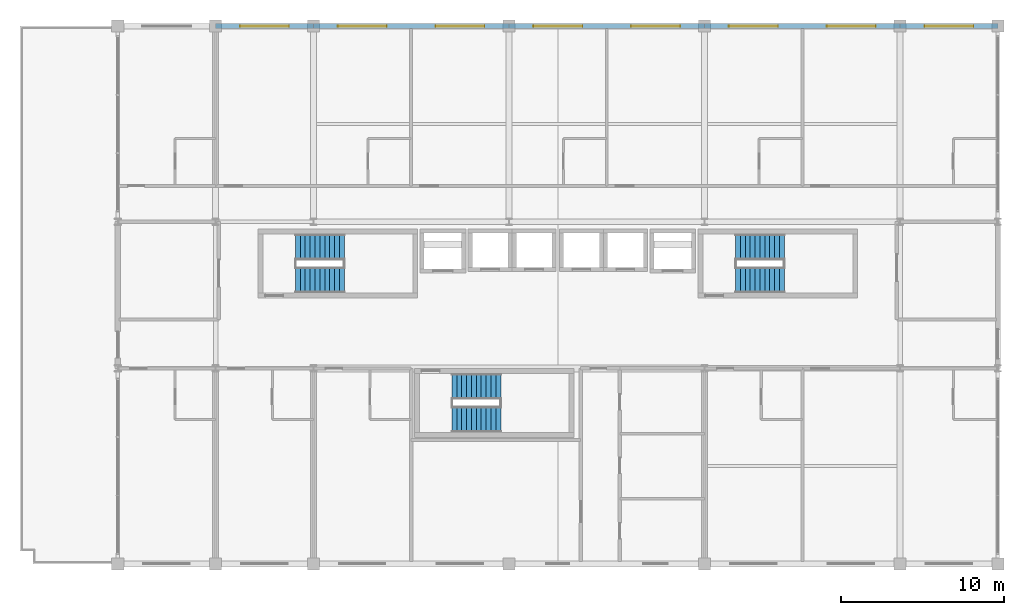
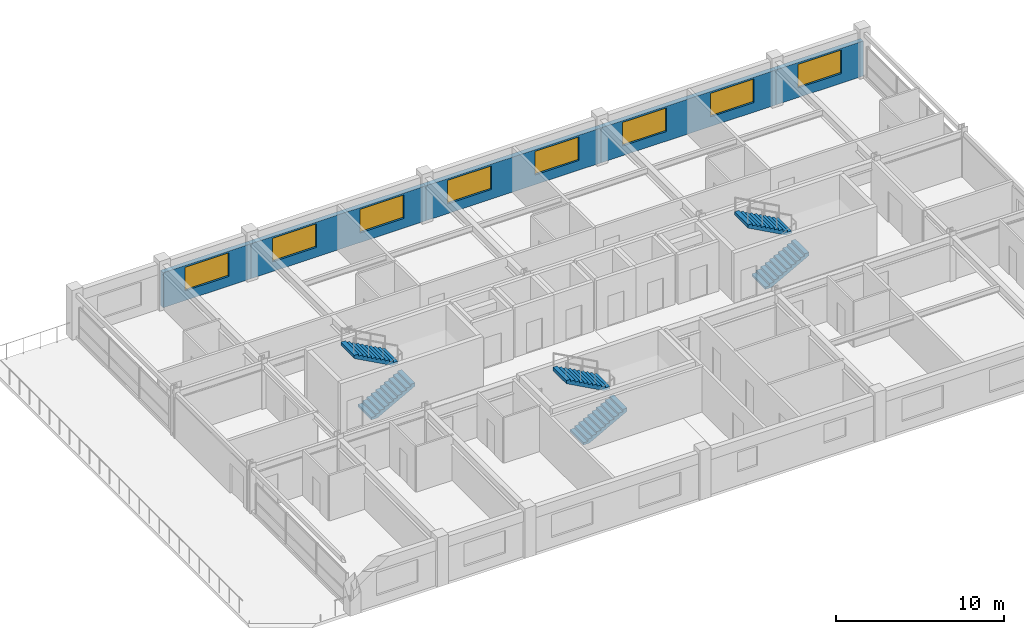
# One storey, part 20 of 21: 8 windows, 6 stair flights, 5 walls, 8 openings, 3 elements without a shape of their own.
"""IFC4 building model written with IfcOpenShell, lengths in metres."""

from ifc_helpers import new_model, si_unit, direction, frame, frame_2d, origin, place, context, subcontext, project, spatial, polyline, rectangle, outline, extrude, material, layer, layer_set, type_object, element, fill, aggregate, save


model = new_model("IFC4")

# Units and contexts
model_context = context("Model", 3, precision=1e-05, world=origin(), true_north=direction((0.0, 1.0)))
body_context = subcontext(model_context, "Body", "Model", "MODEL_VIEW")
ifc_project = project(units=[si_unit("LENGTHUNIT", "METRE"), si_unit("AREAUNIT", "SQUARE_METRE"), si_unit("VOLUMEUNIT", "CUBIC_METRE"), si_unit("PLANEANGLEUNIT", "RADIAN"), si_unit("MASSUNIT", "GRAM", prefix="KILO")], contexts=[model_context])

# Site, building, storey
site_placement = place(None, origin())
site = spatial("IfcSite", under=ifc_project, at=site_placement, CompositionType="ELEMENT")
building_placement = place(site_placement, origin())
building = spatial("IfcBuilding", under=site, at=building_placement, Name="Kaldorvane Square Convention Centre", CompositionType="ELEMENT")
storey_placement = place(building_placement, frame((0.0, 0.0, 49.19999694824219)))
storey = spatial("IfcBuildingStorey", under=building, at=storey_placement, Name="L11", CompositionType="ELEMENT", Elevation=49.19999694824219)

# Wall, opening, window
ifc_material_1 = material(Name="Concrete f'c = 35 MPa (Normalweight)", Category="concrete")
ifc_layer = layer(ifc_material_1, 0.32000732421875)
ifc_layer_set = layer_set([ifc_layer], Name="Concrete f'c = 35 MPa (Normalweight)")
wall_type = type_object("IfcWallType", Name="WL-EXT-320", PredefinedType="STANDARD", material=ifc_layer_set)
wall_1_placement = place(storey_placement, frame((42.0, 117.0, 0.0), z_axis=(0.0, 0.0, 1.0), x_axis=(-1.0, 0.0, 0.0)))
wall_1 = element("IfcWall", 1, at=wall_1_placement, inside=storey, type_object=wall_type, Name="Hotel N Brutalist Facade Wall (L11)", PredefinedType="STANDARD", context=body_context, shape_type="SweptSolid", body=[
    extrude(rectangle(XDim=6.0, YDim=0.32000732421875, at=frame_2d((3.0, 0.0))), origin(), (0.0, 0.0, 1.0), 2.5359954833984375),
])
opening_1_placement = place(wall_1_placement, frame((1.5, 0.0, 0.6999969482421875)))
opening_1 = element("IfcOpeningElement", 2, at=opening_1_placement, cuts=wall_1, Name="Opening W-09", PredefinedType="OPENING", context=body_context, shape_type="SweptSolid", body=[
    extrude(rectangle(XDim=3.0, YDim=1.7100067138671875, at=frame_2d((1.5, 0.855010986328125))), frame((0.0, 0.1750030517578125, 0.0), z_axis=(0.0, -1.0, 0.0), x_axis=(1.0, 0.0, 0.0)), (0.0, 0.0, 1.0), 0.350006103515625),
])
ifc_material_2 = material(Name="Anodized Aluminum and Low-E Insulated Glazing", Category="aluminium")
window_type = type_object("IfcWindowType", Name="WN-HTL-3000X1750", PartitioningType="TRIPLE_PANEL_VERTICAL", PredefinedType="WINDOW", material=ifc_material_2)
window_1_placement = place(opening_1_placement, origin())
window_1 = element("IfcWindow", 3, at=window_1_placement, inside=storey, type_object=window_type, Name="Hotel N Window (L11)", OverallHeight=1.7100067138671875, OverallWidth=3.0, PartitioningType="TRIPLE_PANEL_VERTICAL", PredefinedType="WINDOW", context=body_context, shape_type="SweptSolid", body=[
    extrude(rectangle(XDim=3.0, YDim=1.7100067138671875, at=frame_2d((1.5, 0.855010986328125))), frame((0.0, 0.029998779296875, 0.0), z_axis=(0.0, -1.0, 0.0), x_axis=(1.0, 0.0, 0.0)), (0.0, 0.0, 1.0), 0.05999755859375),
])
fill(opening_1, window_1)

# Wall, openings, windows
wall_2_placement = place(storey_placement, frame((54.0, 117.0, 0.0), z_axis=(0.0, 0.0, 1.0), x_axis=(-1.0, 0.0, 0.0)))
wall_2 = element("IfcWall", 4, at=wall_2_placement, inside=storey, type_object=wall_type, Name="Hotel N Brutalist Facade Wall (L11)", PredefinedType="STANDARD", context=body_context, shape_type="SweptSolid", body=[
    extrude(rectangle(XDim=12.0, YDim=0.32000732421875, at=frame_2d((6.0, 0.0))), origin(), (0.0, 0.0, 1.0), 2.5359954833984375),
])
opening_2_placement = place(wall_2_placement, frame((1.5, 0.0, 0.6999969482421875)))
opening_2 = element("IfcOpeningElement", 5, at=opening_2_placement, cuts=wall_2, Name="Opening W-09", PredefinedType="OPENING", context=body_context, shape_type="SweptSolid", body=[
    extrude(rectangle(XDim=3.0, YDim=1.7100067138671875, at=frame_2d((1.5, 0.855010986328125))), frame((0.0, 0.1750030517578125, 0.0), z_axis=(0.0, -1.0, 0.0), x_axis=(1.0, 0.0, 0.0)), (0.0, 0.0, 1.0), 0.350006103515625),
])
opening_3_placement = place(wall_2_placement, frame((7.5, 0.0, 0.6999969482421875)))
opening_3 = element("IfcOpeningElement", 6, at=opening_3_placement, cuts=wall_2, Name="Opening W-09", PredefinedType="OPENING", context=body_context, shape_type="SweptSolid", body=[
    extrude(rectangle(XDim=3.0, YDim=1.7100067138671875, at=frame_2d((1.5, 0.855010986328125))), frame((0.0, 0.1750030517578125, 0.0), z_axis=(0.0, -1.0, 0.0), x_axis=(1.0, 0.0, 0.0)), (0.0, 0.0, 1.0), 0.350006103515625),
])
window_2_placement = place(opening_2_placement, origin())
window_2 = element("IfcWindow", 7, at=window_2_placement, inside=storey, type_object=window_type, Name="Hotel N Window (L11)", OverallHeight=1.7100067138671875, OverallWidth=3.0, PartitioningType="TRIPLE_PANEL_VERTICAL", PredefinedType="WINDOW", context=body_context, shape_type="SweptSolid", body=[
    extrude(rectangle(XDim=3.0, YDim=1.7100067138671875, at=frame_2d((1.5, 0.855010986328125))), frame((0.0, 0.029998779296875, 0.0), z_axis=(0.0, -1.0, 0.0), x_axis=(1.0, 0.0, 0.0)), (0.0, 0.0, 1.0), 0.05999755859375),
])
fill(opening_2, window_2)
window_3_placement = place(opening_3_placement, origin())
window_3 = element("IfcWindow", 8, at=window_3_placement, inside=storey, type_object=window_type, Name="Hotel N Window (L11)", OverallHeight=1.7100067138671875, OverallWidth=3.0, PartitioningType="TRIPLE_PANEL_VERTICAL", PredefinedType="WINDOW", context=body_context, shape_type="SweptSolid", body=[
    extrude(rectangle(XDim=3.0, YDim=1.7100067138671875, at=frame_2d((1.5, 0.855010986328125))), frame((0.0, 0.029998779296875, 0.0), z_axis=(0.0, -1.0, 0.0), x_axis=(1.0, 0.0, 0.0)), (0.0, 0.0, 1.0), 0.05999755859375),
])
fill(opening_3, window_3)

wall_3_placement = place(storey_placement, frame((66.0, 117.0, 0.0), z_axis=(0.0, 0.0, 1.0), x_axis=(-1.0, 0.0, 0.0)))
wall_3 = element("IfcWall", 9, at=wall_3_placement, inside=storey, type_object=wall_type, Name="Hotel N Brutalist Facade Wall (L11)", PredefinedType="STANDARD", context=body_context, shape_type="SweptSolid", body=[
    extrude(rectangle(XDim=12.0, YDim=0.32000732421875, at=frame_2d((6.0, 0.0))), origin(), (0.0, 0.0, 1.0), 2.5359954833984375),
])
opening_4_placement = place(wall_3_placement, frame((1.5, 0.0, 0.6999969482421875)))
opening_4 = element("IfcOpeningElement", 10, at=opening_4_placement, cuts=wall_3, Name="Opening W-09", PredefinedType="OPENING", context=body_context, shape_type="SweptSolid", body=[
    extrude(rectangle(XDim=3.0, YDim=1.7100067138671875, at=frame_2d((1.5, 0.855010986328125))), frame((0.0, 0.1750030517578125, 0.0), z_axis=(0.0, -1.0, 0.0), x_axis=(1.0, 0.0, 0.0)), (0.0, 0.0, 1.0), 0.350006103515625),
])
opening_5_placement = place(wall_3_placement, frame((7.5, 0.0, 0.6999969482421875)))
opening_5 = element("IfcOpeningElement", 11, at=opening_5_placement, cuts=wall_3, Name="Opening W-09", PredefinedType="OPENING", context=body_context, shape_type="SweptSolid", body=[
    extrude(rectangle(XDim=3.0, YDim=1.7100067138671875, at=frame_2d((1.5, 0.855010986328125))), frame((0.0, 0.1750030517578125, 0.0), z_axis=(0.0, -1.0, 0.0), x_axis=(1.0, 0.0, 0.0)), (0.0, 0.0, 1.0), 0.350006103515625),
])
window_4_placement = place(opening_4_placement, origin())
window_4 = element("IfcWindow", 12, at=window_4_placement, inside=storey, type_object=window_type, Name="Hotel N Window (L11)", OverallHeight=1.7100067138671875, OverallWidth=3.0, PartitioningType="TRIPLE_PANEL_VERTICAL", PredefinedType="WINDOW", context=body_context, shape_type="SweptSolid", body=[
    extrude(rectangle(XDim=3.0, YDim=1.7100067138671875, at=frame_2d((1.5, 0.855010986328125))), frame((0.0, 0.029998779296875, 0.0), z_axis=(0.0, -1.0, 0.0), x_axis=(1.0, 0.0, 0.0)), (0.0, 0.0, 1.0), 0.05999755859375),
])
fill(opening_4, window_4)
window_5_placement = place(opening_5_placement, origin())
window_5 = element("IfcWindow", 13, at=window_5_placement, inside=storey, type_object=window_type, Name="Hotel N Window (L11)", OverallHeight=1.7100067138671875, OverallWidth=3.0, PartitioningType="TRIPLE_PANEL_VERTICAL", PredefinedType="WINDOW", context=body_context, shape_type="SweptSolid", body=[
    extrude(rectangle(XDim=3.0, YDim=1.7100067138671875, at=frame_2d((1.5, 0.855010986328125))), frame((0.0, 0.029998779296875, 0.0), z_axis=(0.0, -1.0, 0.0), x_axis=(1.0, 0.0, 0.0)), (0.0, 0.0, 1.0), 0.05999755859375),
])
fill(opening_5, window_5)

wall_4_placement = place(storey_placement, frame((78.0, 117.0, 0.0), z_axis=(0.0, 0.0, 1.0), x_axis=(-1.0, 0.0, 0.0)))
wall_4 = element("IfcWall", 14, at=wall_4_placement, inside=storey, type_object=wall_type, Name="Hotel N Brutalist Facade Wall (L11)", PredefinedType="STANDARD", context=body_context, shape_type="SweptSolid", body=[
    extrude(rectangle(XDim=12.0, YDim=0.32000732421875, at=frame_2d((6.0, 0.0))), origin(), (0.0, 0.0, 1.0), 2.5359954833984375),
])
opening_6_placement = place(wall_4_placement, frame((1.5, 0.0, 0.6999969482421875)))
opening_6 = element("IfcOpeningElement", 15, at=opening_6_placement, cuts=wall_4, Name="Opening W-09", PredefinedType="OPENING", context=body_context, shape_type="SweptSolid", body=[
    extrude(rectangle(XDim=3.0, YDim=1.7100067138671875, at=frame_2d((1.5, 0.855010986328125))), frame((0.0, 0.1750030517578125, 0.0), z_axis=(0.0, -1.0, 0.0), x_axis=(1.0, 0.0, 0.0)), (0.0, 0.0, 1.0), 0.350006103515625),
])
opening_7_placement = place(wall_4_placement, frame((7.5, 0.0, 0.6999969482421875)))
opening_7 = element("IfcOpeningElement", 16, at=opening_7_placement, cuts=wall_4, Name="Opening W-09", PredefinedType="OPENING", context=body_context, shape_type="SweptSolid", body=[
    extrude(rectangle(XDim=3.0, YDim=1.7100067138671875, at=frame_2d((1.5, 0.855010986328125))), frame((0.0, 0.1750030517578125, 0.0), z_axis=(0.0, -1.0, 0.0), x_axis=(1.0, 0.0, 0.0)), (0.0, 0.0, 1.0), 0.350006103515625),
])
window_6_placement = place(opening_6_placement, origin())
window_6 = element("IfcWindow", 17, at=window_6_placement, inside=storey, type_object=window_type, Name="Hotel N Window (L11)", OverallHeight=1.7100067138671875, OverallWidth=3.0, PartitioningType="TRIPLE_PANEL_VERTICAL", PredefinedType="WINDOW", context=body_context, shape_type="SweptSolid", body=[
    extrude(rectangle(XDim=3.0, YDim=1.7100067138671875, at=frame_2d((1.5, 0.855010986328125))), frame((0.0, 0.029998779296875, 0.0), z_axis=(0.0, -1.0, 0.0), x_axis=(1.0, 0.0, 0.0)), (0.0, 0.0, 1.0), 0.05999755859375),
])
fill(opening_6, window_6)
window_7_placement = place(opening_7_placement, origin())
window_7 = element("IfcWindow", 18, at=window_7_placement, inside=storey, type_object=window_type, Name="Hotel N Window (L11)", OverallHeight=1.7100067138671875, OverallWidth=3.0, PartitioningType="TRIPLE_PANEL_VERTICAL", PredefinedType="WINDOW", context=body_context, shape_type="SweptSolid", body=[
    extrude(rectangle(XDim=3.0, YDim=1.7100067138671875, at=frame_2d((1.5, 0.855010986328125))), frame((0.0, 0.029998779296875, 0.0), z_axis=(0.0, -1.0, 0.0), x_axis=(1.0, 0.0, 0.0)), (0.0, 0.0, 1.0), 0.05999755859375),
])
fill(opening_7, window_7)

# Wall, opening, window
wall_5_placement = place(storey_placement, frame((84.0, 117.0, 0.0), z_axis=(0.0, 0.0, 1.0), x_axis=(-1.0, 0.0, 0.0)))
wall_5 = element("IfcWall", 19, at=wall_5_placement, inside=storey, type_object=wall_type, Name="Hotel N Brutalist Facade Wall (L11)", PredefinedType="STANDARD", context=body_context, shape_type="SweptSolid", body=[
    extrude(rectangle(XDim=6.0, YDim=0.32000732421875, at=frame_2d((3.0, 0.0))), origin(), (0.0, 0.0, 1.0), 2.5359954833984375),
])
opening_8_placement = place(wall_5_placement, frame((1.5, 0.0, 0.6999969482421875)))
opening_8 = element("IfcOpeningElement", 20, at=opening_8_placement, cuts=wall_5, Name="Opening W-09", PredefinedType="OPENING", context=body_context, shape_type="SweptSolid", body=[
    extrude(rectangle(XDim=3.0, YDim=1.7100067138671875, at=frame_2d((1.5, 0.855010986328125))), frame((0.0, 0.1750030517578125, 0.0), z_axis=(0.0, -1.0, 0.0), x_axis=(1.0, 0.0, 0.0)), (0.0, 0.0, 1.0), 0.350006103515625),
])
window_8_placement = place(opening_8_placement, origin())
window_8 = element("IfcWindow", 21, at=window_8_placement, inside=storey, type_object=window_type, Name="Hotel N Window (L11)", OverallHeight=1.7100067138671875, OverallWidth=3.0, PartitioningType="TRIPLE_PANEL_VERTICAL", PredefinedType="WINDOW", context=body_context, shape_type="SweptSolid", body=[
    extrude(rectangle(XDim=3.0, YDim=1.7100067138671875, at=frame_2d((1.5, 0.855010986328125))), frame((0.0, 0.029998779296875, 0.0), z_axis=(0.0, -1.0, 0.0), x_axis=(1.0, 0.0, 0.0)), (0.0, 0.0, 1.0), 0.05999755859375),
])
fill(opening_8, window_8)

# Stair, stair flights
ifc_material_3 = material(Name="Concrete f'c = 42 MPa (Normalweight)", Category="concrete")
stair_type = type_object("IfcStairType", Name="ST-DL-1600-3600", PredefinedType="HALF_TURN_STAIR", material=ifc_material_3)
stair_1_placement = place(storey_placement, origin())
stair_1 = element("IfcStair", 22, at=stair_1_placement, inside=storey, type_object=stair_type, Name="Tower Exit Stair T1 (L11)", PredefinedType="HALF_TURN_STAIR")
stair_flight_type = type_object("IfcStairFlightType", Name="SF-STR-1600-11R", PredefinedType="STRAIGHT", material=ifc_material_3)
stair_flight_1_placement = place(storey_placement, frame((40.899993896484375, 101.41000366210938, 0.0), z_axis=(0.0, 0.0, 1.0), x_axis=(1.0, 0.0, 0.0)))
stair_flight_1 = element("IfcStairFlight", 23, at=stair_flight_1_placement, type_object=stair_flight_type, Name="Tower Exit Stair T1 Flight 1 (L11)", NumberOfRisers=11, NumberOfTreads=10, PredefinedType="STRAIGHT", RiserHeight=0.163636364, TreadLength=0.3, context=body_context, shape_type="SweptSolid", body=[
    extrude(outline(polyline([(0.0, 0.0), (0.0, 0.16363525390625), (0.3000030517578125, 0.16363525390625), (0.3000030517578125, 0.3272705078125), (0.600006103515625, 0.3272705078125), (0.600006103515625, 0.49090576171875), (0.899993896484375, 0.49090576171875), (0.899993896484375, 0.654541015625), (1.1999969482421875, 0.654541015625), (1.1999969482421875, 0.81817626953125), (1.5, 0.81817626953125), (1.5, 0.9818115234375), (1.8000030517578125, 0.9818115234375), (1.8000030517578125, 1.1454620361328125), (2.100006103515625, 1.1454620361328125), (2.100006103515625, 1.3090972900390625), (2.399993896484375, 1.3090972900390625), (2.399993896484375, 1.4727325439453125), (2.6999969482421875, 1.4727325439453125), (2.6999969482421875, 1.6363677978515625), (3.0, 1.6363677978515625), (3.0, 1.8000030517578125), (3.0, 1.4085540771484375), (0.41766357421875, 0.0), (0.0, 0.0)])), frame((0.0, 0.8000030517578125, 0.0), z_axis=(0.0, -1.0, 0.0), x_axis=(1.0, 0.0, 0.0)), (0.0, 0.0, 1.0), 1.600006103515625),
])
stair_flight_2_placement = place(storey_placement, frame((43.899993896484375, 103.44999694824219, 1.8000030517578125), z_axis=(0.0, 0.0, 1.0), x_axis=(-1.0, 0.0, 0.0)))
stair_flight_2 = element("IfcStairFlight", 24, at=stair_flight_2_placement, type_object=stair_flight_type, Name="Tower Exit Stair T1 Flight 2 (L11)", NumberOfRisers=11, NumberOfTreads=10, PredefinedType="STRAIGHT", RiserHeight=0.163636364, TreadLength=0.3, context=body_context, shape_type="SweptSolid", body=[
    extrude(outline(polyline([(0.0, 0.0), (0.0, 0.16363525390625), (0.3000030517578125, 0.16363525390625), (0.3000030517578125, 0.3272705078125), (0.600006103515625, 0.3272705078125), (0.600006103515625, 0.49090576171875), (0.899993896484375, 0.49090576171875), (0.899993896484375, 0.654541015625), (1.1999969482421875, 0.654541015625), (1.1999969482421875, 0.81817626953125), (1.5, 0.81817626953125), (1.5, 0.9818115234375), (1.8000030517578125, 0.9818115234375), (1.8000030517578125, 1.1454620361328125), (2.100006103515625, 1.1454620361328125), (2.100006103515625, 1.3090972900390625), (2.399993896484375, 1.3090972900390625), (2.399993896484375, 1.4727325439453125), (2.6999969482421875, 1.4727325439453125), (2.6999969482421875, 1.6363677978515625), (3.0, 1.6363677978515625), (3.0, 1.8000030517578125), (3.0, 1.4085540771484375), (0.41766357421875, 0.0), (0.0, 0.0)])), frame((0.0, 0.8000030517578125, 0.0), z_axis=(0.0, -1.0, 0.0), x_axis=(1.0, 0.0, 0.0)), (0.0, 0.0, 1.0), 1.600006103515625),
])
aggregate(stair_1, [stair_flight_1, stair_flight_2])

stair_2_placement = place(storey_placement, origin())
stair_2 = element("IfcStair", 25, at=stair_2_placement, inside=storey, type_object=stair_type, Name="Tower Exit Stair T2 (L11)", PredefinedType="HALF_TURN_STAIR")
stair_flight_3_placement = place(storey_placement, frame((67.89999389648438, 101.41000366210938, 0.0), z_axis=(0.0, 0.0, 1.0), x_axis=(1.0, 0.0, 0.0)))
stair_flight_3 = element("IfcStairFlight", 26, at=stair_flight_3_placement, type_object=stair_flight_type, Name="Tower Exit Stair T2 Flight 1 (L11)", NumberOfRisers=11, NumberOfTreads=10, PredefinedType="STRAIGHT", RiserHeight=0.163636364, TreadLength=0.3, context=body_context, shape_type="SweptSolid", body=[
    extrude(outline(polyline([(0.0, 0.0), (0.0, 0.16363525390625), (0.3000030517578125, 0.16363525390625), (0.3000030517578125, 0.3272705078125), (0.600006103515625, 0.3272705078125), (0.600006103515625, 0.49090576171875), (0.899993896484375, 0.49090576171875), (0.899993896484375, 0.654541015625), (1.1999969482421875, 0.654541015625), (1.1999969482421875, 0.81817626953125), (1.5, 0.81817626953125), (1.5, 0.9818115234375), (1.8000030517578125, 0.9818115234375), (1.8000030517578125, 1.1454620361328125), (2.100006103515625, 1.1454620361328125), (2.100006103515625, 1.3090972900390625), (2.399993896484375, 1.3090972900390625), (2.399993896484375, 1.4727325439453125), (2.6999969482421875, 1.4727325439453125), (2.6999969482421875, 1.6363677978515625), (3.0, 1.6363677978515625), (3.0, 1.8000030517578125), (3.0, 1.4085540771484375), (0.41766357421875, 0.0), (0.0, 0.0)])), frame((0.0, 0.8000030517578125, 0.0), z_axis=(0.0, -1.0, 0.0), x_axis=(1.0, 0.0, 0.0)), (0.0, 0.0, 1.0), 1.600006103515625),
])
stair_flight_4_placement = place(storey_placement, frame((70.89999389648438, 103.44999694824219, 1.8000030517578125), z_axis=(0.0, 0.0, 1.0), x_axis=(-1.0, 0.0, 0.0)))
stair_flight_4 = element("IfcStairFlight", 27, at=stair_flight_4_placement, type_object=stair_flight_type, Name="Tower Exit Stair T2 Flight 2 (L11)", NumberOfRisers=11, NumberOfTreads=10, PredefinedType="STRAIGHT", RiserHeight=0.163636364, TreadLength=0.3, context=body_context, shape_type="SweptSolid", body=[
    extrude(outline(polyline([(0.0, 0.0), (0.0, 0.16363525390625), (0.3000030517578125, 0.16363525390625), (0.3000030517578125, 0.3272705078125), (0.600006103515625, 0.3272705078125), (0.600006103515625, 0.49090576171875), (0.899993896484375, 0.49090576171875), (0.899993896484375, 0.654541015625), (1.1999969482421875, 0.654541015625), (1.1999969482421875, 0.81817626953125), (1.5, 0.81817626953125), (1.5, 0.9818115234375), (1.8000030517578125, 0.9818115234375), (1.8000030517578125, 1.1454620361328125), (2.100006103515625, 1.1454620361328125), (2.100006103515625, 1.3090972900390625), (2.399993896484375, 1.3090972900390625), (2.399993896484375, 1.4727325439453125), (2.6999969482421875, 1.4727325439453125), (2.6999969482421875, 1.6363677978515625), (3.0, 1.6363677978515625), (3.0, 1.8000030517578125), (3.0, 1.4085540771484375), (0.41766357421875, 0.0), (0.0, 0.0)])), frame((0.0, 0.8000030517578125, 0.0), z_axis=(0.0, -1.0, 0.0), x_axis=(1.0, 0.0, 0.0)), (0.0, 0.0, 1.0), 1.600006103515625),
])
aggregate(stair_2, [stair_flight_3, stair_flight_4])

stair_3_placement = place(storey_placement, origin())
stair_3 = element("IfcStair", 28, at=stair_3_placement, inside=storey, type_object=stair_type, Name="Tower Exit Stair T3 (L11)", PredefinedType="HALF_TURN_STAIR")
stair_flight_5_placement = place(storey_placement, frame((50.5, 92.86000061035156, 0.0), z_axis=(0.0, 0.0, 1.0), x_axis=(1.0, 0.0, 0.0)))
stair_flight_5 = element("IfcStairFlight", 29, at=stair_flight_5_placement, type_object=stair_flight_type, Name="Tower Exit Stair T3 Flight 1 (L11)", NumberOfRisers=11, NumberOfTreads=10, PredefinedType="STRAIGHT", RiserHeight=0.163636364, TreadLength=0.3, context=body_context, shape_type="SweptSolid", body=[
    extrude(outline(polyline([(0.0, 0.0), (0.0, 0.16363525390625), (0.3000030517578125, 0.16363525390625), (0.3000030517578125, 0.3272705078125), (0.600006103515625, 0.3272705078125), (0.600006103515625, 0.49090576171875), (0.899993896484375, 0.49090576171875), (0.899993896484375, 0.654541015625), (1.1999969482421875, 0.654541015625), (1.1999969482421875, 0.81817626953125), (1.5, 0.81817626953125), (1.5, 0.9818115234375), (1.8000030517578125, 0.9818115234375), (1.8000030517578125, 1.1454620361328125), (2.100006103515625, 1.1454620361328125), (2.100006103515625, 1.3090972900390625), (2.399993896484375, 1.3090972900390625), (2.399993896484375, 1.4727325439453125), (2.6999969482421875, 1.4727325439453125), (2.6999969482421875, 1.6363677978515625), (3.0, 1.6363677978515625), (3.0, 1.8000030517578125), (3.0, 1.4085540771484375), (0.41766357421875, 0.0), (0.0, 0.0)])), frame((0.0, 0.8000030517578125, 0.0), z_axis=(0.0, -1.0, 0.0), x_axis=(1.0, 0.0, 0.0)), (0.0, 0.0, 1.0), 1.600006103515625),
])
stair_flight_6_placement = place(storey_placement, frame((53.5, 94.89999389648438, 1.8000030517578125), z_axis=(0.0, 0.0, 1.0), x_axis=(-1.0, 0.0, 0.0)))
stair_flight_6 = element("IfcStairFlight", 30, at=stair_flight_6_placement, type_object=stair_flight_type, Name="Tower Exit Stair T3 Flight 2 (L11)", NumberOfRisers=11, NumberOfTreads=10, PredefinedType="STRAIGHT", RiserHeight=0.163636364, TreadLength=0.3, context=body_context, shape_type="SweptSolid", body=[
    extrude(outline(polyline([(0.0, 0.0), (0.0, 0.16363525390625), (0.3000030517578125, 0.16363525390625), (0.3000030517578125, 0.3272705078125), (0.600006103515625, 0.3272705078125), (0.600006103515625, 0.49090576171875), (0.899993896484375, 0.49090576171875), (0.899993896484375, 0.654541015625), (1.1999969482421875, 0.654541015625), (1.1999969482421875, 0.81817626953125), (1.5, 0.81817626953125), (1.5, 0.9818115234375), (1.8000030517578125, 0.9818115234375), (1.8000030517578125, 1.1454620361328125), (2.100006103515625, 1.1454620361328125), (2.100006103515625, 1.3090972900390625), (2.399993896484375, 1.3090972900390625), (2.399993896484375, 1.4727325439453125), (2.6999969482421875, 1.4727325439453125), (2.6999969482421875, 1.6363677978515625), (3.0, 1.6363677978515625), (3.0, 1.8000030517578125), (3.0, 1.4085540771484375), (0.41766357421875, 0.0), (0.0, 0.0)])), frame((0.0, 0.8000030517578125, 0.0), z_axis=(0.0, -1.0, 0.0), x_axis=(1.0, 0.0, 0.0)), (0.0, 0.0, 1.0), 1.600006103515625),
])
aggregate(stair_3, [stair_flight_5, stair_flight_6])

save(model, "model.ifc")
